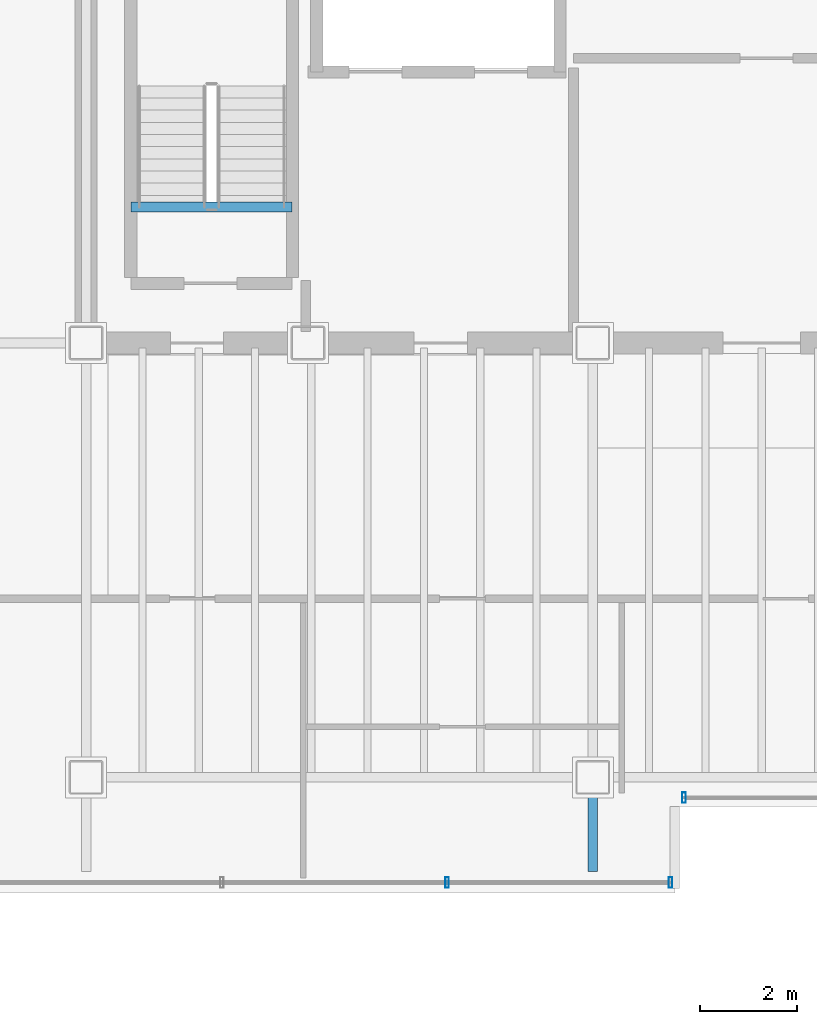
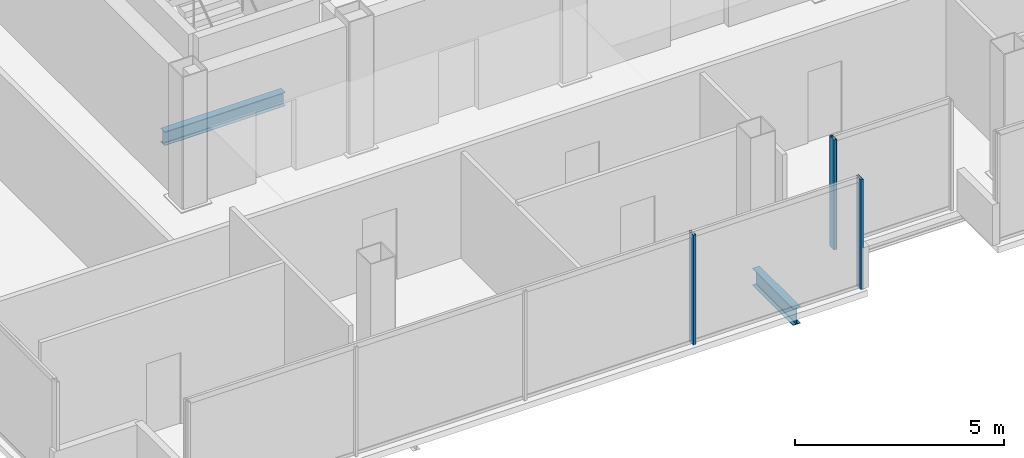
# One storey, part 5 of 17: 3 members, 2 beams, 2 elements without a shape of their own.
"""IFC4 building model written with IfcOpenShell, lengths in metres."""

from ifc_helpers import new_model, si_unit, direction, frame, origin, origin_2d, place, context, subcontext, project, spatial, hollow_rectangle, i_section, extrude, material, material_profile, profile_set, type_object, element, aggregate, save


model = new_model("IFC4")

# Units and contexts
model_context = context("Model", 3, precision=1e-05, world=origin(), true_north=direction((0.0, 1.0)))
body_context = subcontext(model_context, "Body", "Model", "MODEL_VIEW")
ifc_project = project(units=[si_unit("LENGTHUNIT", "METRE"), si_unit("AREAUNIT", "SQUARE_METRE"), si_unit("VOLUMEUNIT", "CUBIC_METRE"), si_unit("PLANEANGLEUNIT", "RADIAN"), si_unit("MASSUNIT", "GRAM", prefix="KILO")], contexts=[model_context])

# Site, building, storey
site_placement = place(None, origin())
site = spatial("IfcSite", under=ifc_project, at=site_placement, CompositionType="ELEMENT")
building_placement = place(site_placement, origin())
building = spatial("IfcBuilding", under=site, at=building_placement, Name="Noeulbin Bourse Tower", CompositionType="ELEMENT")
storey_placement = place(building_placement, frame((0.0, 0.0, 273.5)))
storey = spatial("IfcBuildingStorey", under=building, at=storey_placement, Name="L68", CompositionType="ELEMENT", Elevation=273.5)

# Beams
ifc_material_1 = material(Name="Steel S355", Category="steel")
ifc_material_profile_1 = material_profile(ifc_material_1, i_section(OverallWidth=0.199951171875, OverallDepth=0.5, WebThickness=0.010009765625, FlangeThickness=0.01611328125, FilletRadius=0.02001953125, at=origin_2d()), Name="H-500x200x10x16", Category="LoadBearing")
ifc_profile_set_1 = profile_set([ifc_material_profile_1], Name="Steel S355")
beam_type_1 = type_object("IfcBeamType", Name="BM-GRD-500", PredefinedType="USERDEFINED", material=ifc_profile_set_1)
beam_1_placement = place(storey_placement, frame((24.0, 18.050048828125, -0.429931640625), z_axis=(0.0, 1.0, 0.0), x_axis=(-1.0, 0.0, 0.0)))
element("IfcBeam", 1, at=beam_1_placement, inside=storey, type_object=beam_type_1, Name="Tower Primary Girder NS L68-2.1", ObjectType="GIRDER", PredefinedType="USERDEFINED", context=body_context, shape_type="SweptSolid", body=[
    extrude(i_section(OverallWidth=0.199951171875, OverallDepth=0.5, WebThickness=0.010009765625, FlangeThickness=0.01611328125, FilletRadius=0.02001953125, at=origin_2d()), origin(), (0.0, 0.0, 1.0), 1.949951171875),
])
ifc_material_profile_2 = material_profile(ifc_material_1, i_section(OverallWidth=0.199951171875, OverallDepth=0.39990234375, WebThickness=0.008056640625, FlangeThickness=0.012939453125, FilletRadius=0.01611328125, at=origin_2d()), Name="H-400x200x8x13", Category="LoadBearing")
ifc_profile_set_2 = profile_set([ifc_material_profile_2], Name="Steel S355")
beam_type_2 = type_object("IfcBeamType", Name="BM-SEC-400", PredefinedType="BEAM", material=ifc_profile_set_2)
beam_2_placement = place(storey_placement, frame((14.429931640625, 31.820068359375, -0.199951171875), z_axis=(1.0, 0.0, 0.0), x_axis=(0.0, 1.0, 0.0)))
element("IfcBeam", 2, at=beam_2_placement, inside=storey, type_object=beam_type_2, Name="Stair Threshold Trimmer Beam ST1-L68", PredefinedType="BEAM", context=body_context, shape_type="SweptSolid", body=[
    extrude(i_section(OverallWidth=0.199951171875, OverallDepth=0.39990234375, WebThickness=0.008056640625, FlangeThickness=0.012939453125, FilletRadius=0.01611328125, at=origin_2d()), origin(), (0.0, 0.0, 1.0), 3.340087890625),
])

# Curtain wall, member
ifc_material_2 = material(Name="High-Selectivity Low-Iron Glazing", Category="glass")
curtain_wall_type = type_object("IfcCurtainWallType", Name="CW-SYS-4", PredefinedType="NOTDEFINED", material=ifc_material_2)
curtain_wall_1_placement = place(storey_placement, origin())
curtain_wall_1 = element("IfcCurtainWall", 3, at=curtain_wall_1_placement, inside=storey, type_object=curtain_wall_type, Name="Unitised Curtain Wall CW-L68-SREC", PredefinedType="NOTDEFINED")
ifc_material_3 = material(Name="Anodised Aluminium 6063-T6", Category="aluminium")
ifc_material_profile_3 = material_profile(ifc_material_3, hollow_rectangle(XDim=0.074951171875, YDim=0.219970703125, WallThickness=0.0048828125, InnerFilletRadius=0.00244140625, OuterFilletRadius=0.0048828125, at=origin_2d()), Name="ALU-MULL-75x220x5", Category="LoadBearing")
ifc_profile_set_3 = profile_set([ifc_material_profile_3], Name="Anodised Aluminium 6063-T6")
member_type = type_object("IfcMemberType", Name="CW-SYS-4-MUL", PredefinedType="MULLION", material=ifc_profile_set_3)
member_1_placement = place(storey_placement, frame((25.889892578125, 19.580078125, -0.02001953125), z_axis=(0.0, 0.0, 1.0), x_axis=(1.0, 0.0, 0.0)))
member_1 = element("IfcMember", 4, at=member_1_placement, type_object=member_type, Name="Curtain Wall Mullion CW-L68-SREC-M00", PredefinedType="MULLION", context=body_context, shape_type="SweptSolid", body=[
    extrude(hollow_rectangle(XDim=0.074951171875, YDim=0.219970703125, WallThickness=0.0048828125, InnerFilletRadius=0.00244140625, OuterFilletRadius=0.0048828125, at=origin_2d()), origin(), (0.0, 0.0, 1.0), 3.219970703125),
])
aggregate(curtain_wall_1, [member_1])

# Curtain wall, members
curtain_wall_2_placement = place(storey_placement, origin())
curtain_wall_2 = element("IfcCurtainWall", 5, at=curtain_wall_2_placement, inside=storey, type_object=curtain_wall_type, Name="Unitised Curtain Wall CW-L68-S1", PredefinedType="NOTDEFINED")
member_2_placement = place(storey_placement, frame((20.982421875, 17.820068359375, -0.02001953125), z_axis=(0.0, 0.0, 1.0), x_axis=(1.0, 0.0, 0.0)))
member_2 = element("IfcMember", 6, at=member_2_placement, type_object=member_type, Name="Curtain Wall Mullion CW-L68-S1-M03", PredefinedType="MULLION", context=body_context, shape_type="SweptSolid", body=[
    extrude(hollow_rectangle(XDim=0.074951171875, YDim=0.219970703125, WallThickness=0.0048828125, InnerFilletRadius=0.00244140625, OuterFilletRadius=0.0048828125, at=origin_2d()), origin(), (0.0, 0.0, 1.0), 3.219970703125),
])
member_3_placement = place(storey_placement, frame((25.610107421875, 17.820068359375, -0.02001953125), z_axis=(0.0, 0.0, 1.0), x_axis=(1.0, 0.0, 0.0)))
member_3 = element("IfcMember", 7, at=member_3_placement, type_object=member_type, Name="Curtain Wall Mullion CW-L68-S1-M04", PredefinedType="MULLION", context=body_context, shape_type="SweptSolid", body=[
    extrude(hollow_rectangle(XDim=0.074951171875, YDim=0.219970703125, WallThickness=0.0048828125, InnerFilletRadius=0.00244140625, OuterFilletRadius=0.0048828125, at=origin_2d()), origin(), (0.0, 0.0, 1.0), 3.219970703125),
])
aggregate(curtain_wall_2, [member_2, member_3])

save(model, "model.ifc")
